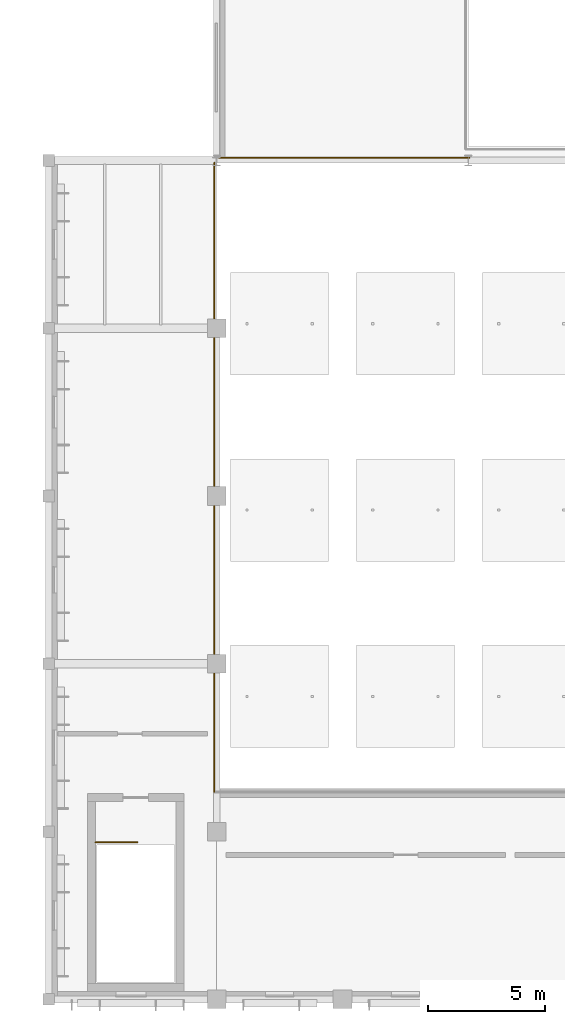
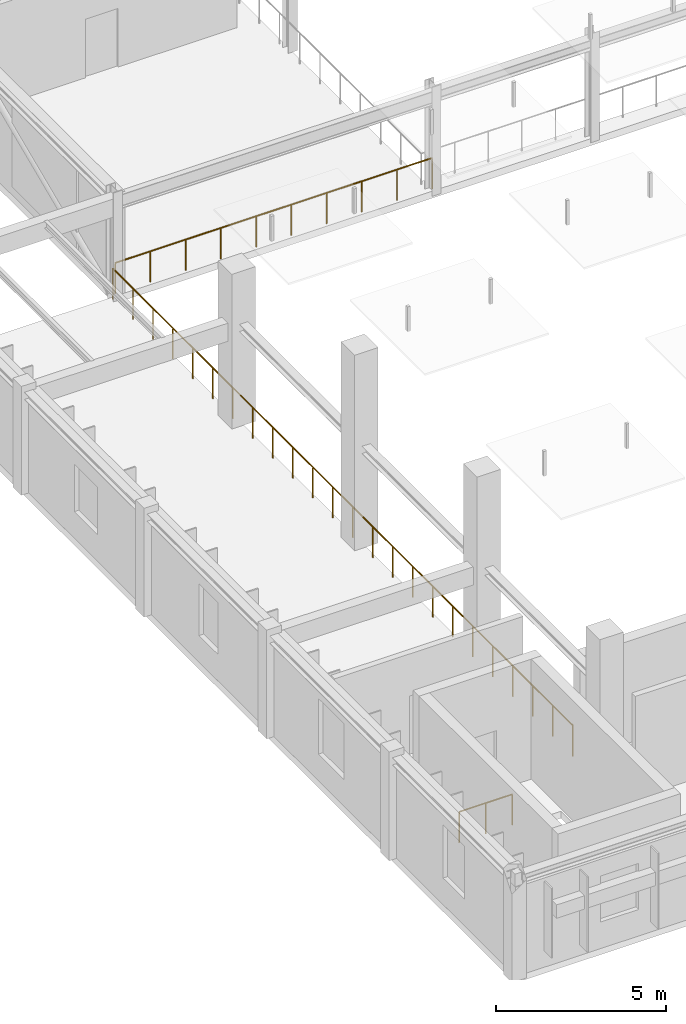
# One storey, part 39 of 44: 3 railings.
"""IFC4 building model written with IfcOpenShell, lengths in metres."""

from ifc_helpers import new_model, si_unit, direction, frame, origin, origin_2d, place, context, subcontext, project, spatial, circle, extrude, material, material_profile, profile_set, type_object, element, save


model = new_model("IFC4")

# Units and contexts
model_context = context("Model", 3, precision=1e-05, world=origin(), true_north=direction((0.0, 1.0)))
body_context = subcontext(model_context, "Body", "Model", "MODEL_VIEW")
ifc_project = project(units=[si_unit("LENGTHUNIT", "METRE"), si_unit("AREAUNIT", "SQUARE_METRE"), si_unit("VOLUMEUNIT", "CUBIC_METRE"), si_unit("PLANEANGLEUNIT", "RADIAN"), si_unit("MASSUNIT", "GRAM", prefix="KILO")], contexts=[model_context])

# Site, building, storey
site_placement = place(None, origin())
site = spatial("IfcSite", under=ifc_project, at=site_placement, CompositionType="ELEMENT")
building_placement = place(site_placement, origin())
building = spatial("IfcBuilding", under=site, at=building_placement, Name="Tazoul Stagehouse", CompositionType="ELEMENT")
storey_placement = place(building_placement, frame((0.0, 0.0, 13.199951171875)))
storey = spatial("IfcBuildingStorey", under=building, at=storey_placement, Name="L03", CompositionType="ELEMENT", Elevation=13.199951171875)

# Railings
ifc_material = material(Name="Brushed Stainless Steel 316L", Category="steel")
ifc_material_profile = material_profile(ifc_material, circle(Radius=0.02392578125, at=origin_2d()), Name="SS RAIL D48")
ifc_profile_set = profile_set([ifc_material_profile], Name="Brushed Stainless Steel 316L")
railing_type = type_object("IfcRailingType", Name="Architectural Guardrail H1120", PredefinedType="GUARDRAIL", material=ifc_profile_set)
railing_1_placement = place(storey_placement, frame((52.39990234375, 58.5400390625, 0.0)))
element("IfcRailing", 1, at=railing_1_placement, inside=storey, type_object=railing_type, Name="L03 ST-05 top well guard 1", PredefinedType="GUARDRAIL", context=body_context, shape_type="SweptSolid", body=[
    extrude(circle(Radius=0.02392578125, at=origin_2d()), frame((0.0, 0.0, 1.09619140625), z_axis=(1.0, 0.0, 0.0), x_axis=(0.0, 1.0, 0.0)), (0.0, 0.0, 1.0), 1.800048828125),
    extrude(circle(Radius=0.02099609375, at=origin_2d()), origin(), (0.0, 0.0, 1.0), 1.072021484375),
    extrude(circle(Radius=0.02099609375, at=origin_2d()), frame((0.89990234375, 0.0, 0.0)), (0.0, 0.0, 1.0), 1.072021484375),
    extrude(circle(Radius=0.02099609375, at=origin_2d()), frame((1.800048828125, 0.0, 0.0)), (0.0, 0.0, 1.0), 1.072021484375),
])
railing_2_placement = place(storey_placement, frame((57.5, 60.699951171875, 0.0)))
element("IfcRailing", 2, at=railing_2_placement, inside=storey, type_object=railing_type, Name="L03 Auditorium Side Gallery Guard GRD-01", PredefinedType="GUARDRAIL", context=body_context, shape_type="SweptSolid", body=[
    extrude(circle(Radius=0.02392578125, at=origin_2d()), frame((0.0, 0.0, 1.09619140625), z_axis=(0.0, 1.0, 0.0), x_axis=(-1.0, 0.0, 0.0)), (0.0, 0.0, 1.0), 27.0),
    extrude(circle(Radius=0.02099609375, at=origin_2d()), origin(), (0.0, 0.0, 1.0), 1.072021484375),
    extrude(circle(Radius=0.02099609375, at=origin_2d()), frame((0.0, 1.173828125, 0.0)), (0.0, 0.0, 1.0), 1.072021484375),
    extrude(circle(Radius=0.02099609375, at=origin_2d()), frame((0.0, 2.347900390625, 0.0)), (0.0, 0.0, 1.0), 1.072021484375),
    extrude(circle(Radius=0.02099609375, at=origin_2d()), frame((0.0, 3.521728515625, 0.0)), (0.0, 0.0, 1.0), 1.072021484375),
    extrude(circle(Radius=0.02099609375, at=origin_2d()), frame((0.0, 4.695556640625, 0.0)), (0.0, 0.0, 1.0), 1.072021484375),
    extrude(circle(Radius=0.02099609375, at=origin_2d()), frame((0.0, 5.86962890625, 0.0)), (0.0, 0.0, 1.0), 1.072021484375),
    extrude(circle(Radius=0.02099609375, at=origin_2d()), frame((0.0, 7.04345703125, 0.0)), (0.0, 0.0, 1.0), 1.072021484375),
    extrude(circle(Radius=0.02099609375, at=origin_2d()), frame((0.0, 8.21728515625, 0.0)), (0.0, 0.0, 1.0), 1.072021484375),
    extrude(circle(Radius=0.02099609375, at=origin_2d()), frame((0.0, 9.391357421875, 0.0)), (0.0, 0.0, 1.0), 1.072021484375),
    extrude(circle(Radius=0.02099609375, at=origin_2d()), frame((0.0, 10.565185546875, 0.0)), (0.0, 0.0, 1.0), 1.072021484375),
    extrude(circle(Radius=0.02099609375, at=origin_2d()), frame((0.0, 11.739013671875, 0.0)), (0.0, 0.0, 1.0), 1.072021484375),
    extrude(circle(Radius=0.02099609375, at=origin_2d()), frame((0.0, 12.9130859375, 0.0)), (0.0, 0.0, 1.0), 1.072021484375),
    extrude(circle(Radius=0.02099609375, at=origin_2d()), frame((0.0, 14.0869140625, 0.0)), (0.0, 0.0, 1.0), 1.072021484375),
    extrude(circle(Radius=0.02099609375, at=origin_2d()), frame((0.0, 15.260986328125, 0.0)), (0.0, 0.0, 1.0), 1.072021484375),
    extrude(circle(Radius=0.02099609375, at=origin_2d()), frame((0.0, 16.434814453125, 0.0)), (0.0, 0.0, 1.0), 1.072021484375),
    extrude(circle(Radius=0.02099609375, at=origin_2d()), frame((0.0, 17.608642578125, 0.0)), (0.0, 0.0, 1.0), 1.072021484375),
    extrude(circle(Radius=0.02099609375, at=origin_2d()), frame((0.0, 18.78271484375, 0.0)), (0.0, 0.0, 1.0), 1.072021484375),
    extrude(circle(Radius=0.02099609375, at=origin_2d()), frame((0.0, 19.95654296875, 0.0)), (0.0, 0.0, 1.0), 1.072021484375),
    extrude(circle(Radius=0.02099609375, at=origin_2d()), frame((0.0, 21.13037109375, 0.0)), (0.0, 0.0, 1.0), 1.072021484375),
    extrude(circle(Radius=0.02099609375, at=origin_2d()), frame((0.0, 22.304443359375, 0.0)), (0.0, 0.0, 1.0), 1.072021484375),
    extrude(circle(Radius=0.02099609375, at=origin_2d()), frame((0.0, 23.478271484375, 0.0)), (0.0, 0.0, 1.0), 1.072021484375),
    extrude(circle(Radius=0.02099609375, at=origin_2d()), frame((0.0, 24.652099609375, 0.0)), (0.0, 0.0, 1.0), 1.072021484375),
    extrude(circle(Radius=0.02099609375, at=origin_2d()), frame((0.0, 25.826171875, 0.0)), (0.0, 0.0, 1.0), 1.072021484375),
    extrude(circle(Radius=0.02099609375, at=origin_2d()), frame((0.0, 27.0, 0.0)), (0.0, 0.0, 1.0), 1.072021484375),
])
railing_3_placement = place(storey_placement, frame((57.699951171875, 87.919921875, 0.0)))
element("IfcRailing", 3, at=railing_3_placement, inside=storey, type_object=railing_type, Name="L03 Stagehouse South Gallery Guard GRD-01 (W)", PredefinedType="GUARDRAIL", context=body_context, shape_type="SweptSolid", body=[
    extrude(circle(Radius=0.02392578125, at=origin_2d()), frame((0.0, 0.0, 1.09619140625), z_axis=(1.0, 0.0, 0.0), x_axis=(0.0, 1.0, 0.0)), (0.0, 0.0, 1.0), 10.75),
    extrude(circle(Radius=0.02099609375, at=origin_2d()), origin(), (0.0, 0.0, 1.0), 1.072021484375),
    extrude(circle(Radius=0.02099609375, at=origin_2d()), frame((1.1943359375, 0.0, 0.0)), (0.0, 0.0, 1.0), 1.072021484375),
    extrude(circle(Radius=0.02099609375, at=origin_2d()), frame((2.388916015625, 0.0, 0.0)), (0.0, 0.0, 1.0), 1.072021484375),
    extrude(circle(Radius=0.02099609375, at=origin_2d()), frame((3.583251953125, 0.0, 0.0)), (0.0, 0.0, 1.0), 1.072021484375),
    extrude(circle(Radius=0.02099609375, at=origin_2d()), frame((4.77783203125, 0.0, 0.0)), (0.0, 0.0, 1.0), 1.072021484375),
    extrude(circle(Radius=0.02099609375, at=origin_2d()), frame((5.97216796875, 0.0, 0.0)), (0.0, 0.0, 1.0), 1.072021484375),
    extrude(circle(Radius=0.02099609375, at=origin_2d()), frame((7.166748046875, 0.0, 0.0)), (0.0, 0.0, 1.0), 1.072021484375),
    extrude(circle(Radius=0.02099609375, at=origin_2d()), frame((8.361083984375, 0.0, 0.0)), (0.0, 0.0, 1.0), 1.072021484375),
    extrude(circle(Radius=0.02099609375, at=origin_2d()), frame((9.5556640625, 0.0, 0.0)), (0.0, 0.0, 1.0), 1.072021484375),
    extrude(circle(Radius=0.02099609375, at=origin_2d()), frame((10.75, 0.0, 0.0)), (0.0, 0.0, 1.0), 1.072021484375),
])

save(model, "model.ifc")
